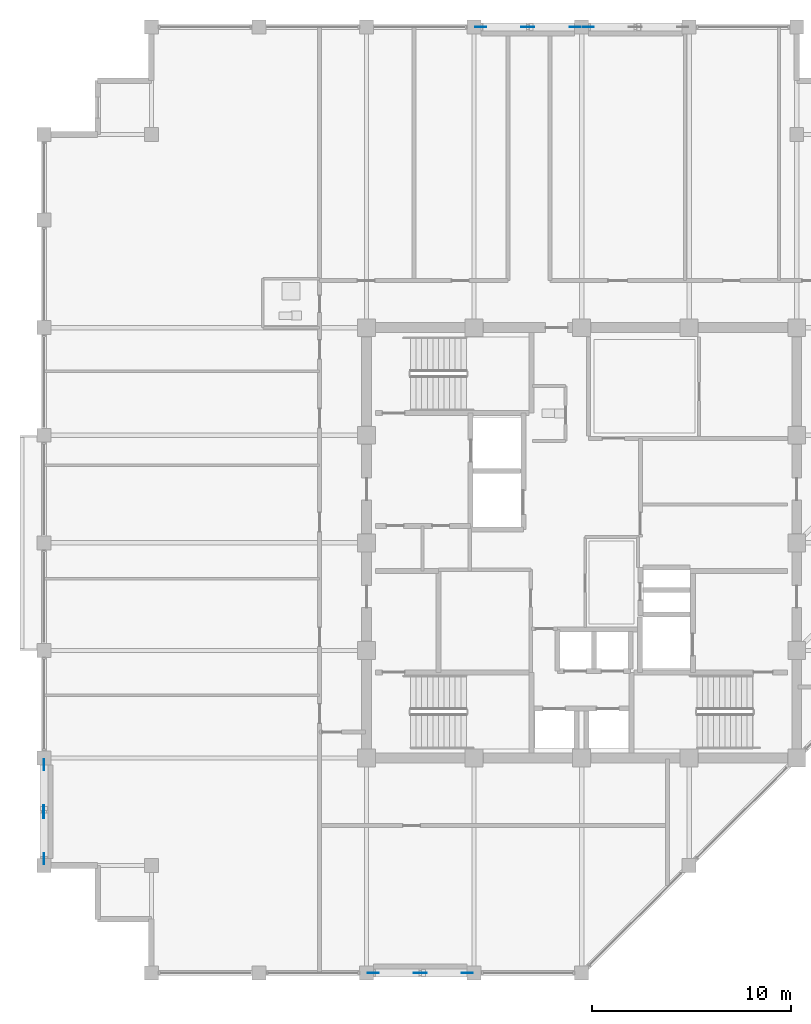
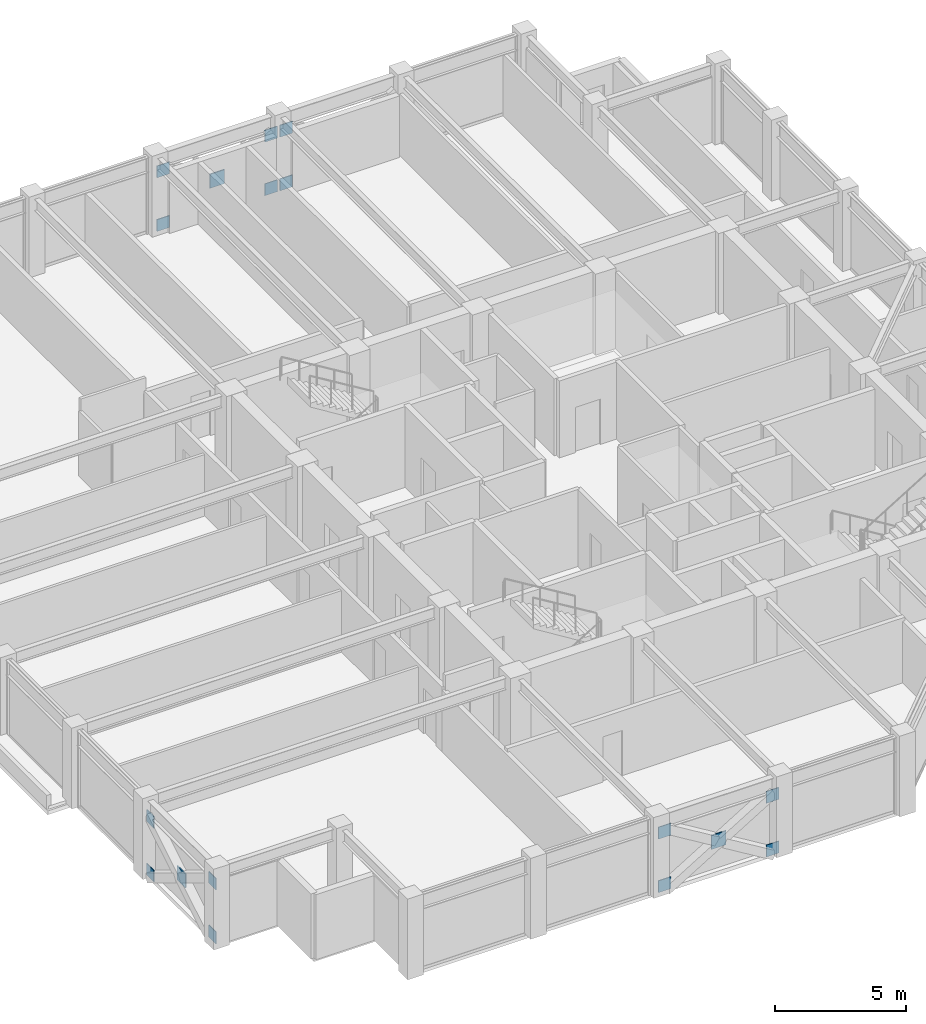
# One storey, part 23 of 30: 17 plates.
"""IFC4 building model written with IfcOpenShell, lengths in metres."""

from ifc_helpers import new_model, si_unit, direction, frame, origin, origin_2d, place, context, subcontext, project, spatial, rectangle, extrude, material, layer, layer_set, type_object, element, save


model = new_model("IFC4")

# Units and contexts
model_context = context("Model", 3, precision=1e-05, world=origin(), true_north=direction((0.0, 1.0)))
body_context = subcontext(model_context, "Body", "Model", "MODEL_VIEW")
ifc_project = project(units=[si_unit("LENGTHUNIT", "METRE"), si_unit("AREAUNIT", "SQUARE_METRE"), si_unit("VOLUMEUNIT", "CUBIC_METRE"), si_unit("PLANEANGLEUNIT", "RADIAN"), si_unit("MASSUNIT", "GRAM", prefix="KILO")], contexts=[model_context])

# Site, building, storey
site_placement = place(None, origin())
site = spatial("IfcSite", under=ifc_project, at=site_placement, CompositionType="ELEMENT")
building_placement = place(site_placement, origin())
building = spatial("IfcBuilding", under=site, at=building_placement, Name="Surkhivell Harbour Commons", CompositionType="ELEMENT")
storey_placement = place(building_placement, frame((0.0, 0.0, 281.25)))
storey = spatial("IfcBuildingStorey", under=building, at=storey_placement, Name="L73", CompositionType="ELEMENT", Elevation=281.25)

# Plates
ifc_material = material(Name="Steel S460", Category="steel")
ifc_layer_1 = layer(ifc_material, 0.035888671875)
ifc_layer_set_1 = layer_set([ifc_layer_1], Name="Steel S460")
plate_type_1 = type_object("IfcPlateType", Name="PLT-GUS-550", PredefinedType="USERDEFINED", material=ifc_layer_set_1)
for number, where, z_axis, x_axis, name in (
    (1, (-5.06494140625, 25.89990234375, -0.07470703125), (0.0, 0.0, 1.0), (1.0, 0.0, 0.0), "L73 Perimeter Mega-Brace MB- Corner Gusset N-1"),
    (2, (-0.3349609375, 25.89990234375, -0.07470703125), (0.0, 0.0, 1.0), (1.0, 0.0, 0.0), "L73 Perimeter Mega-Brace MB- Corner Gusset N-2"),
    (3, (-5.06494140625, 25.89990234375, 2.41357421875), (0.0, 0.0, 1.0), (1.0, 0.0, 0.0), "L73 Perimeter Mega-Brace MB- Corner Gusset N-3"),
    (4, (-0.3349609375, 25.89990234375, 2.41357421875), (0.0, 0.0, 1.0), (1.0, 0.0, 0.0), "L73 Perimeter Mega-Brace MB- Corner Gusset N-4"),
    (5, (0.3349609375, 25.89990234375, -0.07470703125), (0.0, 0.0, 1.0), (1.0, 0.0, 0.0), "L73 Perimeter Mega-Brace MB- Corner Gusset N2-1"),
    (6, (0.3349609375, 25.89990234375, 2.41357421875), (0.0, 0.0, 1.0), (1.0, 0.0, 0.0), "L73 Perimeter Mega-Brace MB- Corner Gusset N2-3"),
    (7, (-10.465087890625, -21.60009765625, -0.07470703125), (0.0, 0.0, 1.0), (1.0, 0.0, 0.0), "L73 Perimeter Mega-Brace MB- Corner Gusset S-1"),
    (8, (-5.735107421875, -21.60009765625, -0.07470703125), (0.0, 0.0, 1.0), (1.0, 0.0, 0.0), "L73 Perimeter Mega-Brace MB- Corner Gusset S-2"),
    (9, (-10.465087890625, -21.60009765625, 2.41357421875), (0.0, 0.0, 1.0), (1.0, 0.0, 0.0), "L73 Perimeter Mega-Brace MB- Corner Gusset S-3"),
    (10, (-5.735107421875, -21.60009765625, 2.41357421875), (0.0, 0.0, 1.0), (1.0, 0.0, 0.0), "L73 Perimeter Mega-Brace MB- Corner Gusset S-4"),
    (11, (-27.0, -15.864990234375, -0.07470703125), (0.0, 0.0, 1.0), (0.0, 1.0, 0.0), "L73 Perimeter Mega-Brace MB- Corner Gusset W-1"),
    (12, (-27.0, -11.135009765625, -0.07470703125), (0.0, 0.0, 1.0), (0.0, 1.0, 0.0), "L73 Perimeter Mega-Brace MB- Corner Gusset W-2"),
    (13, (-27.0, -15.864990234375, 2.41357421875), (0.0, 0.0, 1.0), (0.0, 1.0, 0.0), "L73 Perimeter Mega-Brace MB- Corner Gusset W-3"),
    (14, (-27.0, -11.135009765625, 2.41357421875), (0.0, 0.0, 1.0), (0.0, 1.0, 0.0), "L73 Perimeter Mega-Brace MB- Corner Gusset W-4"),
):
    element("IfcPlate", number, at=place(storey_placement, frame(where, z_axis=z_axis, x_axis=x_axis)), inside=storey, type_object=plate_type_1, Name=name, ObjectType="GUSSET_PLATE", PredefinedType="USERDEFINED", context=body_context, shape_type="SweptSolid", body=[
        extrude(rectangle(XDim=0.550048828125, YDim=0.035888671875, at=origin_2d()), origin(), (0.0, 0.0, 1.0), 0.550048828125),
    ])
ifc_layer_2 = layer(ifc_material, 0.044921875)
ifc_layer_set_2 = layer_set([ifc_layer_2], Name="Steel S460")
plate_type_2 = type_object("IfcPlateType", Name="PLT-GUS-650", PredefinedType="USERDEFINED", material=ifc_layer_set_2)
for number, where, z_axis, x_axis, name in (
    (15, (-2.699951171875, 25.89990234375, 1.11962890625), (0.0, 0.0, 1.0), (1.0, 0.0, 0.0), "L73 Perimeter Mega-Brace MB- Central Crossing Gusset N"),
    (16, (-8.10009765625, -21.60009765625, 1.11962890625), (0.0, 0.0, 1.0), (1.0, 0.0, 0.0), "L73 Perimeter Mega-Brace MB- Central Crossing Gusset S"),
    (17, (-27.0, -13.5, 1.11962890625), (0.0, 0.0, 1.0), (0.0, 1.0, 0.0), "L73 Perimeter Mega-Brace MB- Central Crossing Gusset W"),
):
    element("IfcPlate", number, at=place(storey_placement, frame(where, z_axis=z_axis, x_axis=x_axis)), inside=storey, type_object=plate_type_2, Name=name, ObjectType="GUSSET_PLATE", PredefinedType="USERDEFINED", context=body_context, shape_type="SweptSolid", body=[
        extrude(rectangle(XDim=0.64990234375, YDim=0.044921875, at=origin_2d()), origin(), (0.0, 0.0, 1.0), 0.64990234375),
    ])

save(model, "model.ifc")
